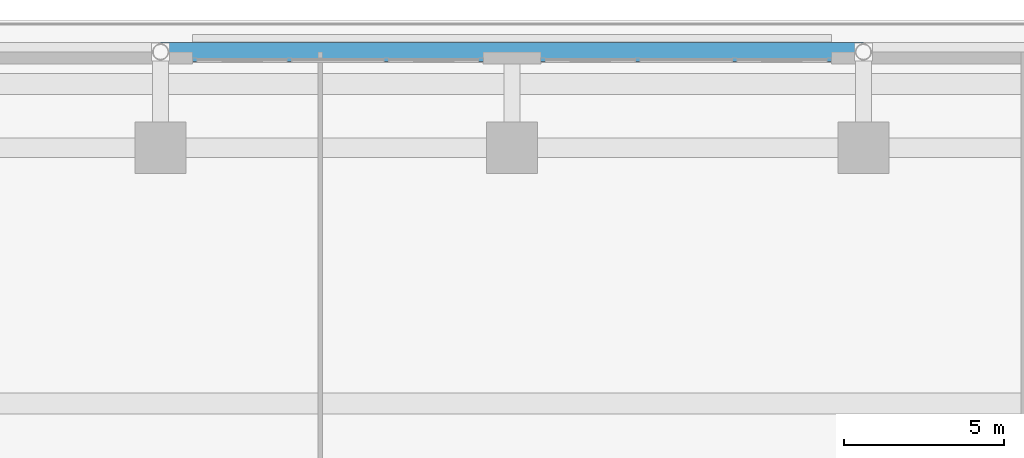
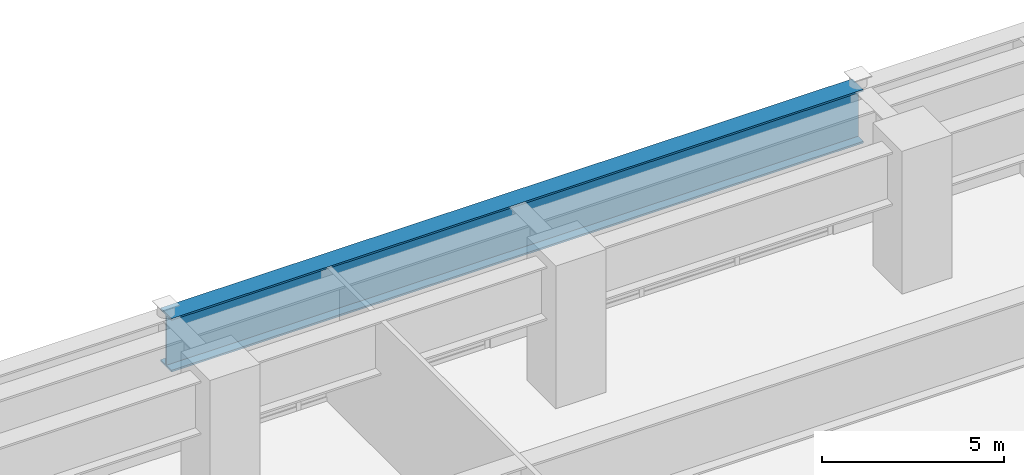
# One storey, part 21 of 38: 1 beam.
"""IFC4 building model written with IfcOpenShell, lengths in metres."""

import ifcopenshell
import ifcopenshell.guid

model = None  # the IFC model being written
_history = None  # IfcOwnerHistory: only IFC2X3 demands one
_inside = {}  # id of a spatial element -> (the spatial element, [elements in it])
_under = {}  # id of a project, library or spatial element -> (it, [spatial elements below it])
_declared = {}  # id of a project -> (the project, [libraries it declares])
_typed = {}  # id of a type object -> (the type object, [elements of that type])
_made_of = {}  # id of a material, layer set ... -> (it, [elements and type objects made of it])


def new_model(schema):
    """Start an empty IFC model of exactly this schema.

    Asked for "IFC4X3", IfcOpenShell would pick the latest addendum, in which some entities
    have other attributes; the version numbers below select the first issue.
    IFC2X3 requires an IfcOwnerHistory on every rooted entity: one is made here for all.
    """
    global model, _history
    if schema == "IFC4X3":
        model = ifcopenshell.file(schema_version=(4, 3, 0, 0))
    else:
        model = ifcopenshell.file(schema=schema)
    _inside.clear()
    _under.clear()
    _declared.clear()
    _typed.clear()
    _made_of.clear()
    _history = None
    if model.schema == "IFC2X3":
        org = make("IfcOrganization", Name="unknown")
        user = make(
            "IfcPersonAndOrganization",
            ThePerson=make("IfcPerson", FamilyName="unknown"),
            TheOrganization=org,
        )
        app = make(
            "IfcApplication",
            ApplicationDeveloper=org,
            Version="unknown",
            ApplicationFullName="unknown",
            ApplicationIdentifier="unknown",
        )
        _history = make(
            "IfcOwnerHistory",
            OwningUser=user,
            OwningApplication=app,
            ChangeAction="ADDED",
            CreationDate=0,
        )
    return model


def make(cls, **values):
    """One entity of the class cls with the attributes given. An attribute that is None is left unset."""
    return model.create_entity(
        cls, **{name: value for name, value in values.items() if value is not None}
    )


def rooted(cls, **values):
    """An entity with a GlobalId (a new one), such as an element, a storey or a relation."""
    return make(cls, GlobalId=ifcopenshell.guid.new(), OwnerHistory=_history, **values)


def si_unit(unit_type, name, prefix=None):
    """IfcSIUnit, for example si_unit("LENGTHUNIT", "METRE", prefix="MILLI")."""
    return make("IfcSIUnit", UnitType=unit_type, Prefix=prefix, Name=name)


def assignment(units):
    """IfcUnitAssignment: the units of a project."""
    return None if units is None else make("IfcUnitAssignment", Units=units)


def point(xyz):
    """IfcCartesianPoint."""
    return None if xyz is None else make("IfcCartesianPoint", Coordinates=xyz)


def direction(xyz):
    """IfcDirection."""
    return None if xyz is None else make("IfcDirection", DirectionRatios=xyz)


def frame(location, z_axis=None, x_axis=None):
    """IfcAxis2Placement3D, a coordinate frame: its origin and axes. An axis left out is left unset."""
    return make(
        "IfcAxis2Placement3D",
        Location=point(location),
        Axis=direction(z_axis),
        RefDirection=direction(x_axis),
    )


def frame_2d(location, x_axis=None):
    """IfcAxis2Placement2D, a coordinate frame in the plane: its origin and x axis."""
    return make(
        "IfcAxis2Placement2D", Location=point(location), RefDirection=direction(x_axis)
    )


def origin():
    """The frame at (0, 0, 0) with its axes left unset."""
    return frame((0.0, 0.0, 0.0))


def origin_2d():
    """The frame at (0, 0) in the plane with its x axis left unset."""
    return frame_2d((0.0, 0.0))


def place(relative_to, where):
    """IfcLocalPlacement: puts the frame where relative to a parent placement (None: the world)."""
    return make(
        "IfcLocalPlacement", PlacementRelTo=relative_to, RelativePlacement=where
    )


def context(
    kind, dimensions, precision=None, world=None, true_north=None, identifier=None
):
    """IfcGeometricRepresentationContext, for example the 3D "Model" context."""
    return make(
        "IfcGeometricRepresentationContext",
        ContextIdentifier=identifier,
        ContextType=kind,
        CoordinateSpaceDimension=dimensions,
        Precision=precision,
        WorldCoordinateSystem=world,
        TrueNorth=true_north,
    )


def subcontext(parent, identifier, kind, view, scale=None):
    """IfcGeometricRepresentationSubContext, for example "Body" below "Model"."""
    return make(
        "IfcGeometricRepresentationSubContext",
        ContextIdentifier=identifier,
        ContextType=kind,
        ParentContext=parent,
        TargetScale=scale,
        TargetView=view,
    )


def project(units=None, contexts=None):
    """IfcProject with its units and contexts."""
    return rooted(
        "IfcProject",
        Name="project",
        RepresentationContexts=contexts,
        UnitsInContext=assignment(units),
    )


def spatial(cls, under=None, at=None, **own):
    """A site, building, storey or space (cls), placed at a placement, below another one or the project."""
    s = rooted(cls, ObjectPlacement=at, **own)
    if under is not None:
        _under.setdefault(under.id(), (under, []))[1].append(s)
    return s


def profile(cls, at=None, kind="AREA", **sizes):
    """A parametric profile (cls). Its sizes go by their IFC names, for example OverallWidth=200.0."""
    return make(cls, ProfileType=kind, Position=at, **sizes)


def i_section(**sizes):
    """IfcIShapeProfileDef."""
    return profile("IfcIShapeProfileDef", **sizes)


def extrude(swept, where, along, depth):
    """IfcExtrudedAreaSolid: the profile swept, set in the frame where, extruded along a direction by depth."""
    return make(
        "IfcExtrudedAreaSolid",
        SweptArea=swept,
        Position=where,
        ExtrudedDirection=direction(along),
        Depth=depth,
    )


def shape(context_of_items, identifier, shape_type, items):
    """IfcShapeRepresentation: the items that make up one representation, for example the "Body"."""
    return make(
        "IfcShapeRepresentation",
        ContextOfItems=context_of_items,
        RepresentationIdentifier=identifier,
        RepresentationType=shape_type,
        Items=items,
    )


def source(mapping_origin, context_of_items, identifier, shape_type, items):
    """IfcRepresentationMap: a shape defined once, which mapped items show again and again."""
    return make(
        "IfcRepresentationMap",
        MappingOrigin=mapping_origin,
        MappedRepresentation=shape(context_of_items, identifier, shape_type, items),
    )


def transform(
    local_origin,
    x_axis=None,
    y_axis=None,
    z_axis=None,
    scale=None,
    scale2=None,
    scale3=None,
    uniform=True,
):
    """IfcCartesianTransformationOperator3D, or its non-uniform kind. x_axis, y_axis, z_axis: its Axis1, 2, 3."""
    if uniform:
        return make(
            "IfcCartesianTransformationOperator3D",
            Axis1=direction(x_axis),
            Axis2=direction(y_axis),
            LocalOrigin=point(local_origin),
            Scale=scale,
            Axis3=direction(z_axis),
        )
    return make(
        "IfcCartesianTransformationOperator3DnonUniform",
        Axis1=direction(x_axis),
        Axis2=direction(y_axis),
        LocalOrigin=point(local_origin),
        Scale=scale,
        Axis3=direction(z_axis),
        Scale2=scale2,
        Scale3=scale3,
    )


def mapped(mapping_source, mapping_target):
    """IfcMappedItem: shows the shape of a source again, moved by a transform."""
    return make(
        "IfcMappedItem", MappingSource=mapping_source, MappingTarget=mapping_target
    )


def material(Name=None, Category=None):
    """IfcMaterial."""
    return make("IfcMaterial", Name=Name, Category=Category)


def material_profile(
    of_material, cross_section, Name=None, Category=None, Priority=None
):
    """IfcMaterialProfile: a cross section and its material."""
    return make(
        "IfcMaterialProfile",
        Name=Name,
        Material=of_material,
        Profile=cross_section,
        Priority=Priority,
        Category=Category,
    )


def profile_set(profiles, Name=None, composite=None):
    """IfcMaterialProfileSet."""
    return make(
        "IfcMaterialProfileSet",
        Name=Name,
        MaterialProfiles=profiles,
        CompositeProfile=composite,
    )


def made_of(thing, what):
    """Note that an element or type object is made of a material, layer set ...; save() writes the relation."""
    if what is not None:
        _made_of.setdefault(what.id(), (what, []))[1].append(thing)
    return thing


def type_object(cls, material=None, **own):
    """A type object (cls), such as IfcWallType, which elements share."""
    return made_of(rooted(cls, **own), material)


def element(
    cls,
    number,
    at=None,
    inside=None,
    cuts=None,
    type_object=None,
    material=None,
    context=None,
    identifier="Body",
    shape_type=None,
    held_by="IfcProductDefinitionShape",
    body=None,
    shapes=None,
    **own,
):
    """One element of the class cls, such as IfcWall. Its Tag is "e" and its number.

    at: its placement. inside: the storey or other place that contains it. cuts: it is an
    opening in that element (IfcRelVoidsElement). A single representation is given by context,
    identifier, shape_type and body (its items); several are given by shapes. held_by: the class
    of the entity that holds the representations. save() writes the other relations.
    """
    e = rooted(cls, Tag="e%d" % number, ObjectPlacement=at, **own)
    if body is not None:
        shapes = [shape(context, identifier, shape_type, body)]
    if shapes is not None:
        e.Representation = make(held_by, Representations=shapes)
    if inside is not None:
        _inside.setdefault(inside.id(), (inside, []))[1].append(e)
    if cuts is not None:
        rooted(
            "IfcRelVoidsElement", RelatingBuildingElement=cuts, RelatedOpeningElement=e
        )
    if type_object is not None:
        _typed.setdefault(type_object.id(), (type_object, []))[1].append(e)
    return made_of(e, material)


def aggregate(whole, parts):
    """IfcRelAggregates: a whole, such as a stair, and the parts it consists of."""
    return rooted("IfcRelAggregates", RelatingObject=whole, RelatedObjects=parts)


def save(model, path):
    """Write the relations noted so far, then the file.

    IfcRelAggregates (storeys below a building ...), IfcRelContainedInSpatialStructure (elements
    in a storey), IfcRelDefinesByType, IfcRelAssociatesMaterial and IfcRelDeclares: one each for
    every whole, place, type object, material and project.
    """
    for whole, parts in _under.values():
        aggregate(whole, parts)
    for where, things in _inside.values():
        rooted(
            "IfcRelContainedInSpatialStructure",
            RelatedElements=things,
            RelatingStructure=where,
        )
    for kind, things in _typed.values():
        rooted("IfcRelDefinesByType", RelatedObjects=things, RelatingType=kind)
    for what, things in _made_of.values():
        rooted("IfcRelAssociatesMaterial", RelatedObjects=things, RelatingMaterial=what)
    for by, libraries in _declared.values():
        rooted("IfcRelDeclares", RelatingContext=by, RelatedDefinitions=libraries)
    model.write(path)


model = new_model("IFC4")

# Units and contexts
model_context = context("Model", 3, precision=1e-05, world=origin(), true_north=direction((0.0, 1.0)))
body_context = subcontext(model_context, "Body", "Model", "MODEL_VIEW")
ifc_project = project(units=[si_unit("LENGTHUNIT", "METRE"), si_unit("AREAUNIT", "SQUARE_METRE"), si_unit("VOLUMEUNIT", "CUBIC_METRE"), si_unit("PLANEANGLEUNIT", "RADIAN"), si_unit("MASSUNIT", "GRAM", prefix="KILO")], contexts=[model_context])

# Site, building, storey
site_placement = place(None, origin())
site = spatial("IfcSite", under=ifc_project, at=site_placement, CompositionType="ELEMENT")
building_placement = place(site_placement, origin())
building = spatial("IfcBuilding", under=site, at=building_placement, Name="Khorayat Bourse Tower", CompositionType="ELEMENT")
storey_placement = place(building_placement, frame((0.0, 0.0, 17.39990234375)))
storey = spatial("IfcBuildingStorey", under=building, at=storey_placement, Name="L03", CompositionType="ELEMENT", Elevation=17.39990234375)

# Beam
ifc_material = material(Name="Steel EN 10025-4 S460M", Category="steel")
ifc_material_profile = material_profile(ifc_material, i_section(OverallWidth=0.60009765625, OverallDepth=1.800048828125, WebThickness=0.031982421875, FlangeThickness=0.06005859375, at=origin_2d()), Name="PG 1800x600x32x60")
ifc_profile_set = profile_set([ifc_material_profile], Name="Steel EN 10025-4 S460M")
beam_type = type_object("IfcBeamType", Name="BM-TR-1800", PredefinedType="BEAM", material=ifc_profile_set)
shared_shape = source(origin(), body_context, "Body", "SweptSolid", [
    extrude(i_section(OverallWidth=0.60009765625, OverallDepth=1.800048828125, WebThickness=0.031982421875, FlangeThickness=0.06005859375, at=origin_2d()), origin(), (0.0, 0.0, 1.0), 22.0),
])
beam_placement = place(storey_placement, frame((-11.0, 35.0, 3.580078125), z_axis=(1.0, 0.0, 0.0), x_axis=(0.0, 1.0, 0.0)))
element("IfcBeam", 1, at=beam_placement, inside=storey, type_object=beam_type, Name="L03 BM-TR-1800 BM-L03-PGX-094", PredefinedType="BEAM", context=body_context, shape_type="MappedRepresentation", body=[
    mapped(shared_shape, transform((0.0, 0.0, 0.0), scale=1.0)),
])

save(model, "model.ifc")
